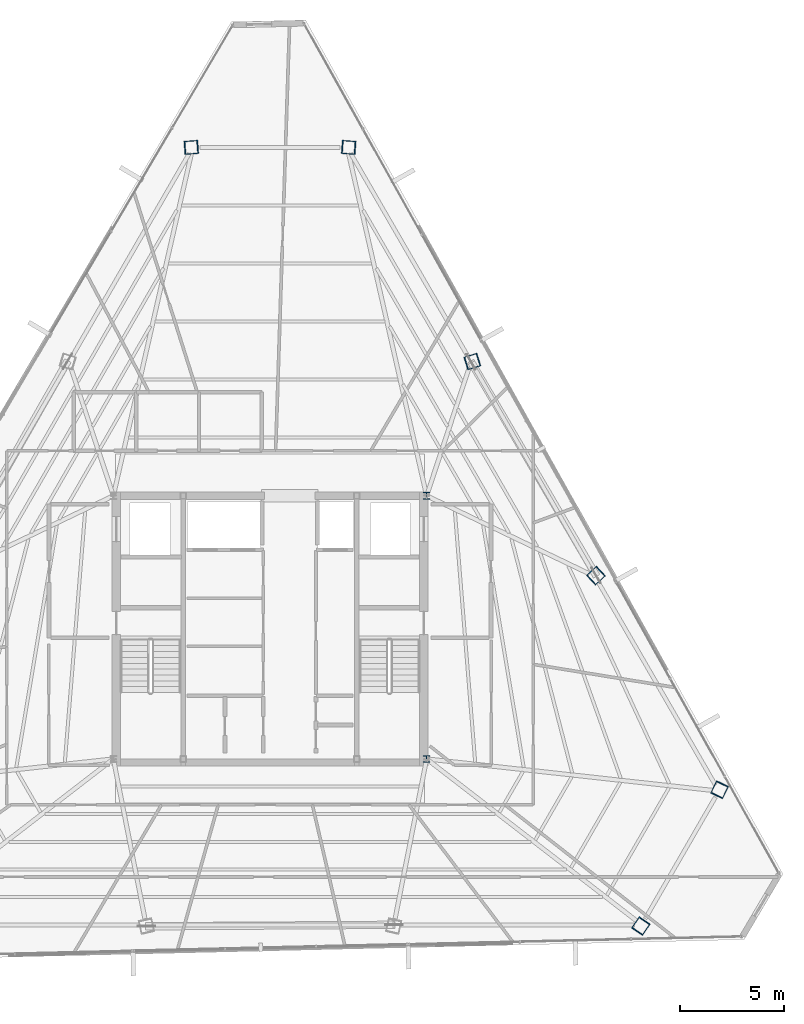
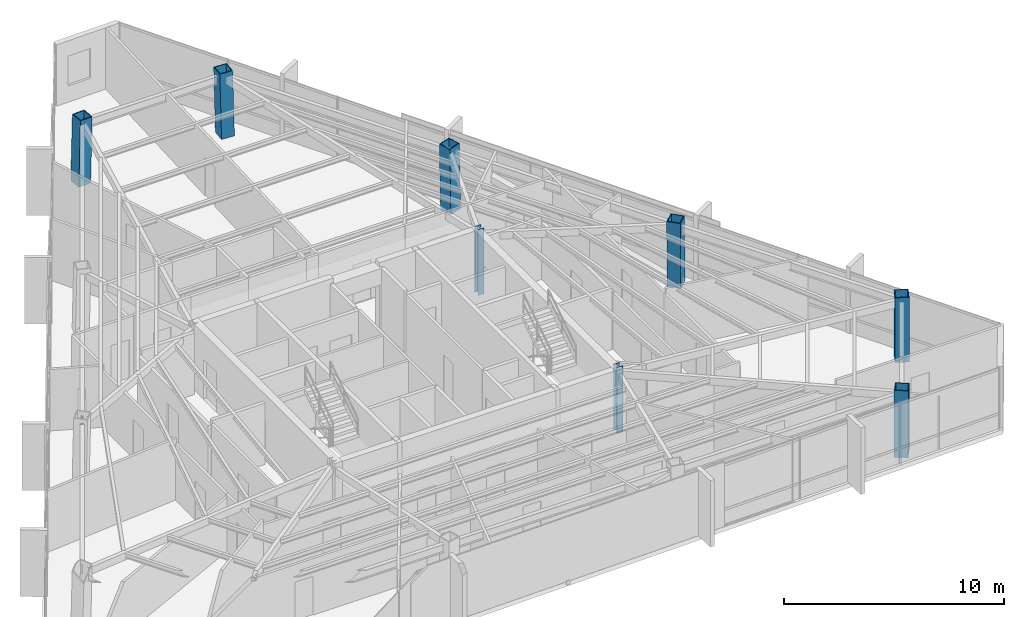
# One storey, part 2 of 44: 8 columns.
"""IFC4 building model written with IfcOpenShell, lengths in metres."""

import ifcopenshell
import ifcopenshell.guid

model = None  # the IFC model being written
_history = None  # IfcOwnerHistory: only IFC2X3 demands one
_inside = {}  # id of a spatial element -> (the spatial element, [elements in it])
_under = {}  # id of a project, library or spatial element -> (it, [spatial elements below it])
_declared = {}  # id of a project -> (the project, [libraries it declares])
_typed = {}  # id of a type object -> (the type object, [elements of that type])
_made_of = {}  # id of a material, layer set ... -> (it, [elements and type objects made of it])


def new_model(schema):
    """Start an empty IFC model of exactly this schema.

    Asked for "IFC4X3", IfcOpenShell would pick the latest addendum, in which some entities
    have other attributes; the version numbers below select the first issue.
    IFC2X3 requires an IfcOwnerHistory on every rooted entity: one is made here for all.
    """
    global model, _history
    if schema == "IFC4X3":
        model = ifcopenshell.file(schema_version=(4, 3, 0, 0))
    else:
        model = ifcopenshell.file(schema=schema)
    _inside.clear()
    _under.clear()
    _declared.clear()
    _typed.clear()
    _made_of.clear()
    _history = None
    if model.schema == "IFC2X3":
        org = make("IfcOrganization", Name="unknown")
        user = make(
            "IfcPersonAndOrganization",
            ThePerson=make("IfcPerson", FamilyName="unknown"),
            TheOrganization=org,
        )
        app = make(
            "IfcApplication",
            ApplicationDeveloper=org,
            Version="unknown",
            ApplicationFullName="unknown",
            ApplicationIdentifier="unknown",
        )
        _history = make(
            "IfcOwnerHistory",
            OwningUser=user,
            OwningApplication=app,
            ChangeAction="ADDED",
            CreationDate=0,
        )
    return model


def make(cls, **values):
    """One entity of the class cls with the attributes given. An attribute that is None is left unset."""
    return model.create_entity(
        cls, **{name: value for name, value in values.items() if value is not None}
    )


def rooted(cls, **values):
    """An entity with a GlobalId (a new one), such as an element, a storey or a relation."""
    return make(cls, GlobalId=ifcopenshell.guid.new(), OwnerHistory=_history, **values)


def si_unit(unit_type, name, prefix=None):
    """IfcSIUnit, for example si_unit("LENGTHUNIT", "METRE", prefix="MILLI")."""
    return make("IfcSIUnit", UnitType=unit_type, Prefix=prefix, Name=name)


def assignment(units):
    """IfcUnitAssignment: the units of a project."""
    return None if units is None else make("IfcUnitAssignment", Units=units)


def point(xyz):
    """IfcCartesianPoint."""
    return None if xyz is None else make("IfcCartesianPoint", Coordinates=xyz)


def direction(xyz):
    """IfcDirection."""
    return None if xyz is None else make("IfcDirection", DirectionRatios=xyz)


def frame(location, z_axis=None, x_axis=None):
    """IfcAxis2Placement3D, a coordinate frame: its origin and axes. An axis left out is left unset."""
    return make(
        "IfcAxis2Placement3D",
        Location=point(location),
        Axis=direction(z_axis),
        RefDirection=direction(x_axis),
    )


def frame_2d(location, x_axis=None):
    """IfcAxis2Placement2D, a coordinate frame in the plane: its origin and x axis."""
    return make(
        "IfcAxis2Placement2D", Location=point(location), RefDirection=direction(x_axis)
    )


def origin():
    """The frame at (0, 0, 0) with its axes left unset."""
    return frame((0.0, 0.0, 0.0))


def origin_2d():
    """The frame at (0, 0) in the plane with its x axis left unset."""
    return frame_2d((0.0, 0.0))


def place(relative_to, where):
    """IfcLocalPlacement: puts the frame where relative to a parent placement (None: the world)."""
    return make(
        "IfcLocalPlacement", PlacementRelTo=relative_to, RelativePlacement=where
    )


def context(
    kind, dimensions, precision=None, world=None, true_north=None, identifier=None
):
    """IfcGeometricRepresentationContext, for example the 3D "Model" context."""
    return make(
        "IfcGeometricRepresentationContext",
        ContextIdentifier=identifier,
        ContextType=kind,
        CoordinateSpaceDimension=dimensions,
        Precision=precision,
        WorldCoordinateSystem=world,
        TrueNorth=true_north,
    )


def subcontext(parent, identifier, kind, view, scale=None):
    """IfcGeometricRepresentationSubContext, for example "Body" below "Model"."""
    return make(
        "IfcGeometricRepresentationSubContext",
        ContextIdentifier=identifier,
        ContextType=kind,
        ParentContext=parent,
        TargetScale=scale,
        TargetView=view,
    )


def project(units=None, contexts=None):
    """IfcProject with its units and contexts."""
    return rooted(
        "IfcProject",
        Name="project",
        RepresentationContexts=contexts,
        UnitsInContext=assignment(units),
    )


def spatial(cls, under=None, at=None, **own):
    """A site, building, storey or space (cls), placed at a placement, below another one or the project."""
    s = rooted(cls, ObjectPlacement=at, **own)
    if under is not None:
        _under.setdefault(under.id(), (under, []))[1].append(s)
    return s


def profile(cls, at=None, kind="AREA", **sizes):
    """A parametric profile (cls). Its sizes go by their IFC names, for example OverallWidth=200.0."""
    return make(cls, ProfileType=kind, Position=at, **sizes)


def hollow_rectangle(**sizes):
    """IfcRectangleHollowProfileDef."""
    return profile("IfcRectangleHollowProfileDef", **sizes)


def i_section(**sizes):
    """IfcIShapeProfileDef."""
    return profile("IfcIShapeProfileDef", **sizes)


def extrude(swept, where, along, depth):
    """IfcExtrudedAreaSolid: the profile swept, set in the frame where, extruded along a direction by depth."""
    return make(
        "IfcExtrudedAreaSolid",
        SweptArea=swept,
        Position=where,
        ExtrudedDirection=direction(along),
        Depth=depth,
    )


def shape(context_of_items, identifier, shape_type, items):
    """IfcShapeRepresentation: the items that make up one representation, for example the "Body"."""
    return make(
        "IfcShapeRepresentation",
        ContextOfItems=context_of_items,
        RepresentationIdentifier=identifier,
        RepresentationType=shape_type,
        Items=items,
    )


def source(mapping_origin, context_of_items, identifier, shape_type, items):
    """IfcRepresentationMap: a shape defined once, which mapped items show again and again."""
    return make(
        "IfcRepresentationMap",
        MappingOrigin=mapping_origin,
        MappedRepresentation=shape(context_of_items, identifier, shape_type, items),
    )


def transform(
    local_origin,
    x_axis=None,
    y_axis=None,
    z_axis=None,
    scale=None,
    scale2=None,
    scale3=None,
    uniform=True,
):
    """IfcCartesianTransformationOperator3D, or its non-uniform kind. x_axis, y_axis, z_axis: its Axis1, 2, 3."""
    if uniform:
        return make(
            "IfcCartesianTransformationOperator3D",
            Axis1=direction(x_axis),
            Axis2=direction(y_axis),
            LocalOrigin=point(local_origin),
            Scale=scale,
            Axis3=direction(z_axis),
        )
    return make(
        "IfcCartesianTransformationOperator3DnonUniform",
        Axis1=direction(x_axis),
        Axis2=direction(y_axis),
        LocalOrigin=point(local_origin),
        Scale=scale,
        Axis3=direction(z_axis),
        Scale2=scale2,
        Scale3=scale3,
    )


def mapped(mapping_source, mapping_target):
    """IfcMappedItem: shows the shape of a source again, moved by a transform."""
    return make(
        "IfcMappedItem", MappingSource=mapping_source, MappingTarget=mapping_target
    )


def material(Name=None, Category=None):
    """IfcMaterial."""
    return make("IfcMaterial", Name=Name, Category=Category)


def material_profile(
    of_material, cross_section, Name=None, Category=None, Priority=None
):
    """IfcMaterialProfile: a cross section and its material."""
    return make(
        "IfcMaterialProfile",
        Name=Name,
        Material=of_material,
        Profile=cross_section,
        Priority=Priority,
        Category=Category,
    )


def profile_set(profiles, Name=None, composite=None):
    """IfcMaterialProfileSet."""
    return make(
        "IfcMaterialProfileSet",
        Name=Name,
        MaterialProfiles=profiles,
        CompositeProfile=composite,
    )


def made_of(thing, what):
    """Note that an element or type object is made of a material, layer set ...; save() writes the relation."""
    if what is not None:
        _made_of.setdefault(what.id(), (what, []))[1].append(thing)
    return thing


def type_object(cls, material=None, **own):
    """A type object (cls), such as IfcWallType, which elements share."""
    return made_of(rooted(cls, **own), material)


def type_shapes(of_type, sources):
    """Give a type object the sources (RepresentationMaps) that its elements show as mapped items."""
    of_type.RepresentationMaps = sources


def element(
    cls,
    number,
    at=None,
    inside=None,
    cuts=None,
    type_object=None,
    material=None,
    context=None,
    identifier="Body",
    shape_type=None,
    held_by="IfcProductDefinitionShape",
    body=None,
    shapes=None,
    **own,
):
    """One element of the class cls, such as IfcWall. Its Tag is "e" and its number.

    at: its placement. inside: the storey or other place that contains it. cuts: it is an
    opening in that element (IfcRelVoidsElement). A single representation is given by context,
    identifier, shape_type and body (its items); several are given by shapes. held_by: the class
    of the entity that holds the representations. save() writes the other relations.
    """
    e = rooted(cls, Tag="e%d" % number, ObjectPlacement=at, **own)
    if body is not None:
        shapes = [shape(context, identifier, shape_type, body)]
    if shapes is not None:
        e.Representation = make(held_by, Representations=shapes)
    if inside is not None:
        _inside.setdefault(inside.id(), (inside, []))[1].append(e)
    if cuts is not None:
        rooted(
            "IfcRelVoidsElement", RelatingBuildingElement=cuts, RelatedOpeningElement=e
        )
    if type_object is not None:
        _typed.setdefault(type_object.id(), (type_object, []))[1].append(e)
    return made_of(e, material)


def aggregate(whole, parts):
    """IfcRelAggregates: a whole, such as a stair, and the parts it consists of."""
    return rooted("IfcRelAggregates", RelatingObject=whole, RelatedObjects=parts)


def save(model, path):
    """Write the relations noted so far, then the file.

    IfcRelAggregates (storeys below a building ...), IfcRelContainedInSpatialStructure (elements
    in a storey), IfcRelDefinesByType, IfcRelAssociatesMaterial and IfcRelDeclares: one each for
    every whole, place, type object, material and project.
    """
    for whole, parts in _under.values():
        aggregate(whole, parts)
    for where, things in _inside.values():
        rooted(
            "IfcRelContainedInSpatialStructure",
            RelatedElements=things,
            RelatingStructure=where,
        )
    for kind, things in _typed.values():
        rooted("IfcRelDefinesByType", RelatedObjects=things, RelatingType=kind)
    for what, things in _made_of.values():
        rooted("IfcRelAssociatesMaterial", RelatedObjects=things, RelatingMaterial=what)
    for by, libraries in _declared.values():
        rooted("IfcRelDeclares", RelatingContext=by, RelatedDefinitions=libraries)
    model.write(path)


model = new_model("IFC4")

# Units and contexts
model_context = context("Model", 3, precision=1e-05, world=origin(), true_north=direction((0.0, 1.0)))
body_context = subcontext(model_context, "Body", "Model", "MODEL_VIEW")
ifc_project = project(units=[si_unit("LENGTHUNIT", "METRE"), si_unit("AREAUNIT", "SQUARE_METRE"), si_unit("VOLUMEUNIT", "CUBIC_METRE"), si_unit("PLANEANGLEUNIT", "RADIAN"), si_unit("MASSUNIT", "GRAM", prefix="KILO")], contexts=[model_context])

# Site, building, storey
site_placement = place(None, origin())
site = spatial("IfcSite", under=ifc_project, at=site_placement, CompositionType="ELEMENT")
building_placement = place(site_placement, origin())
building = spatial("IfcBuilding", under=site, at=building_placement, Name="Caelisora Broadcast Tower", CompositionType="ELEMENT")
storey_placement = place(building_placement, frame((0.0, 0.0, 259.050048828125)))
storey = spatial("IfcBuildingStorey", under=building, at=storey_placement, Name="L68", CompositionType="ELEMENT", Elevation=259.050048828125)

# Columns
ifc_material_1 = material(Name="Steel Grade 350 (AS/NZS 3679.1)", Category="steel")
ifc_material_profile_1 = material_profile(ifc_material_1, i_section(OverallWidth=0.31103515625, OverallDepth=0.3271484375, WebThickness=0.015625, FlangeThickness=0.02490234375, at=origin_2d()), Name="Steel Grade 350 (AS/NZS 3679.1)")
ifc_profile_set_1 = profile_set([ifc_material_profile_1], Name="Steel Grade 350 (AS/NZS 3679.1)")
column_type_1 = type_object("IfcColumnType", Name="CC03", PredefinedType="COLUMN", material=ifc_profile_set_1)
shared_shape_1 = source(origin(), body_context, "Body", "SweptSolid", [
    extrude(i_section(OverallWidth=0.31103515625, OverallDepth=0.3271484375, WebThickness=0.015625, FlangeThickness=0.02490234375, at=origin_2d()), origin(), (0.0, 0.0, 1.0), 3.64990234375),
])
type_shapes(column_type_1, [shared_shape_1])
for number, where, z_axis, x_axis, name in (
    (1, (45.5, 17.39990234375, 0.0), (0.0, 0.0, 1.0), (1.0, 0.0, 0.0), "L68 column CC03"),
    (2, (45.5, 30.0, 0.0), (0.0, 0.0, 1.0), (1.0, 0.0, 0.0), "L68 column CC03"),
):
    element("IfcColumn", number, at=place(storey_placement, frame(where, z_axis=z_axis, x_axis=x_axis)), inside=storey, type_object=column_type_1, Name=name, PredefinedType="COLUMN", context=body_context, shape_type="MappedRepresentation", body=[
        mapped(shared_shape_1, transform((0.0, 0.0, 0.0), scale=1.0)),
    ])
ifc_material_2 = material(Name="Steel Grade 350 L15 (AS/NZS 3678)", Category="steel")
ifc_material_profile_2 = material_profile(ifc_material_2, hollow_rectangle(XDim=0.64990234375, YDim=0.64990234375, WallThickness=0.0400390625, at=origin_2d()), Name="Steel Grade 350 L15 (AS/NZS 3678)")
ifc_profile_set_2 = profile_set([ifc_material_profile_2], Name="Steel Grade 350 L15 (AS/NZS 3678)")
column_type_2 = type_object("IfcColumnType", Name="MC06", PredefinedType="COLUMN", material=ifc_profile_set_2)
shared_shape_2 = source(origin(), body_context, "Body", "SweptSolid", [
    extrude(hollow_rectangle(XDim=0.64990234375, YDim=0.64990234375, WallThickness=0.0400390625, at=origin_2d()), origin(), (0.0, 0.0, 1.0), 3.65087890625),
])
for number, where, z_axis, x_axis, name in (
    (3, (41.78271484375, 46.67919921875, 0.0), (-0.023872754168, 0.001805502416, 0.999713374808), (-0.075414875552, -0.997152243414, 0.0), "L68 column MC06"),
    (4, (34.21728515625, 46.67919921875, 0.0), (0.023872754168, 0.001805502416, 0.999713374808), (-0.075414875552, 0.997152243414, 0.0), "L68 column MC06"),
    (5, (55.74951171875, 9.384521484375, 0.0), (0.013440967269, 0.019793663242, 0.999713734673), (-0.827290216258, 0.561774775229, 0.0), "L68 column MC06"),
    (6, (59.5322265625, 15.936279296875, 0.0), (-0.010431780378, -0.021599135014, 0.999712286273), (0.900476348161, -0.434904985489, 0.0), "L68 column MC06"),
):
    element("IfcColumn", number, at=place(storey_placement, frame(where, z_axis=z_axis, x_axis=x_axis)), inside=storey, type_object=column_type_2, Name=name, PredefinedType="COLUMN", context=body_context, shape_type="MappedRepresentation", body=[
        mapped(shared_shape_2, transform((0.0, 0.0, 0.0), scale=1.0)),
    ])
shared_shape_3 = source(origin(), body_context, "Body", "SweptSolid", [
    extrude(hollow_rectangle(XDim=0.64990234375, YDim=0.64990234375, WallThickness=0.0400390625, at=origin_2d()), origin(), (0.0, 0.0, 1.0), 3.650634765625),
])
type_shapes(column_type_2, [shared_shape_2, shared_shape_3])
for number, where, z_axis, x_axis, name in (
    (7, (53.61572265625, 26.183837890625, 0.0), (-0.014913313399, -0.013776424037, 0.999793880369), (0.678553674548, -0.734550822447, 0.0), "L68 column MC06"),
    (8, (47.69921875, 36.431640625, 0.0), (-0.019393993486, -0.006018825565, 0.999793802119), (0.296399214872, -0.955064136811, 0.0), "L68 column MC06"),
):
    element("IfcColumn", number, at=place(storey_placement, frame(where, z_axis=z_axis, x_axis=x_axis)), inside=storey, type_object=column_type_2, Name=name, PredefinedType="COLUMN", context=body_context, shape_type="MappedRepresentation", body=[
        mapped(shared_shape_3, transform((0.0, 0.0, 0.0), scale=1.0)),
    ])

save(model, "model.ifc")
